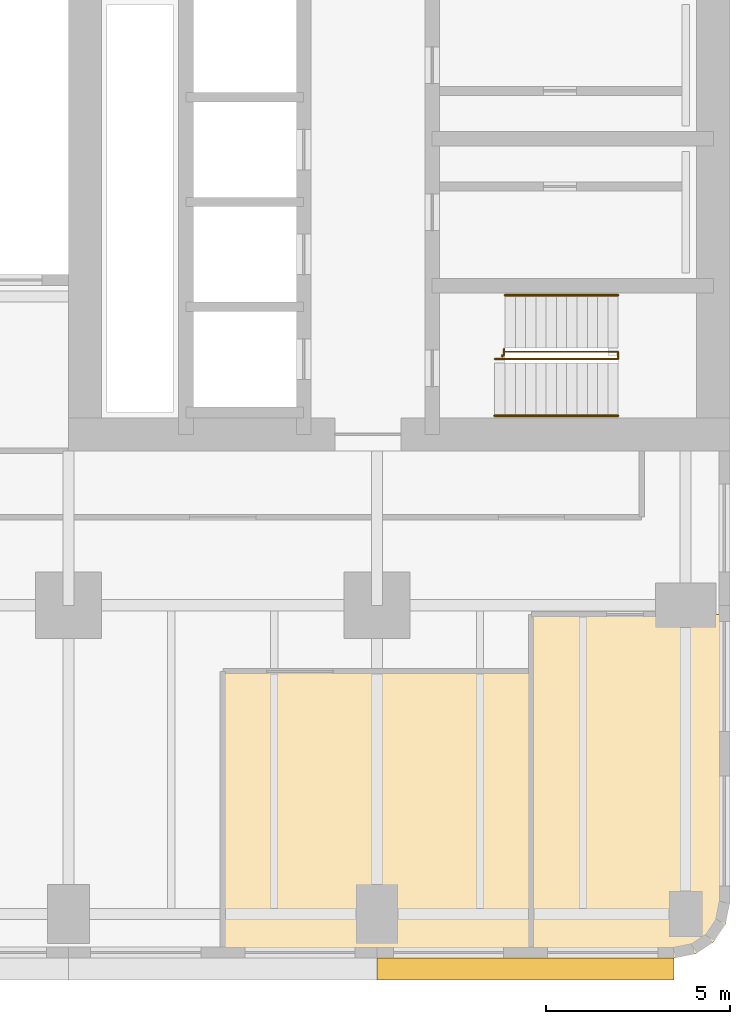
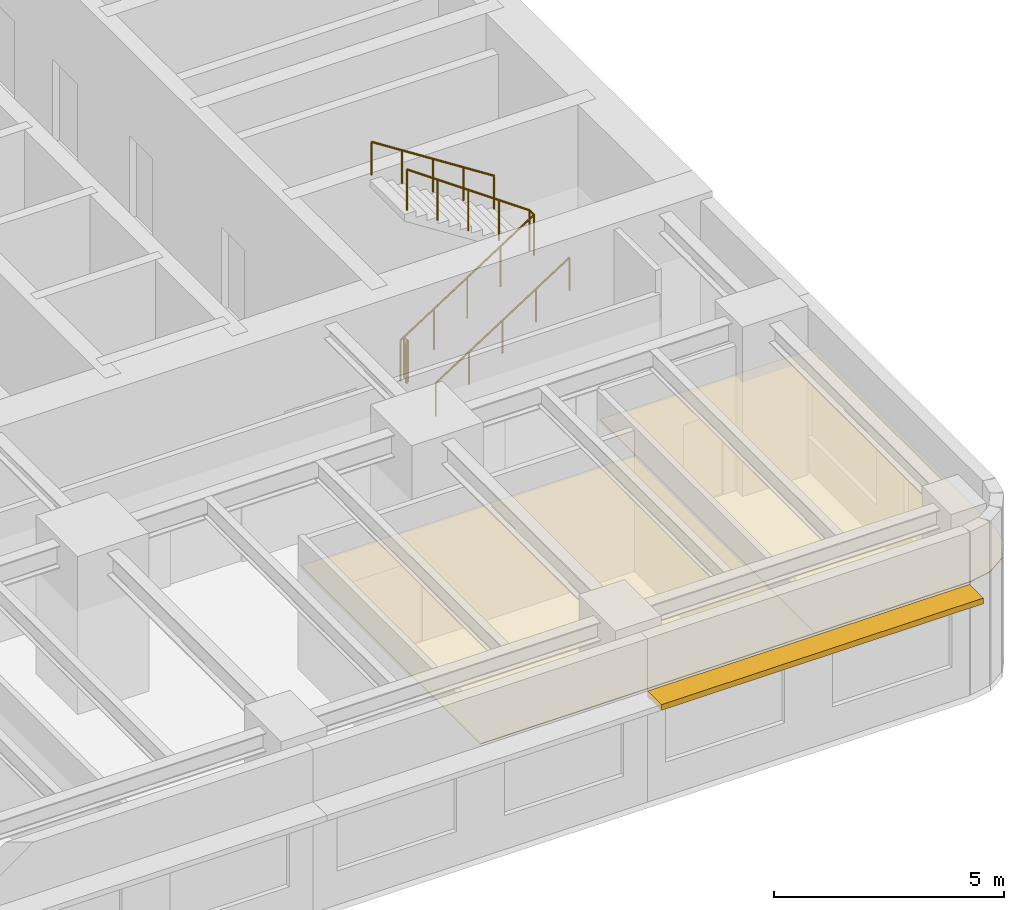
# One storey, part 11 of 14: 4 railings, 2 coverings, 1 shading device.
"""IFC4 building model written with IfcOpenShell, lengths in metres."""

from ifc_helpers import new_model, si_unit, direction, frame, origin, origin_2d, place, context, subcontext, project, spatial, polyline, rectangle, circle, outline, extrude, material, layer, layer_set, type_object, element, save


model = new_model("IFC4")

# Units and contexts
model_context = context("Model", 3, precision=1e-05, world=origin(), true_north=direction((0.0, 1.0)))
body_context = subcontext(model_context, "Body", "Model", "MODEL_VIEW")
ifc_project = project(units=[si_unit("LENGTHUNIT", "METRE"), si_unit("AREAUNIT", "SQUARE_METRE"), si_unit("VOLUMEUNIT", "CUBIC_METRE"), si_unit("PLANEANGLEUNIT", "RADIAN"), si_unit("MASSUNIT", "GRAM", prefix="KILO")], contexts=[model_context])

# Site, building, storey
site_placement = place(None, origin())
site = spatial("IfcSite", under=ifc_project, at=site_placement, CompositionType="ELEMENT")
building_placement = place(site_placement, origin())
building = spatial("IfcBuilding", under=site, at=building_placement, Name="Claustro Exchange Tower", CompositionType="ELEMENT")
storey_placement = place(building_placement, frame((0.0, 0.0, 72.89990234375)))
storey = spatial("IfcBuildingStorey", under=building, at=storey_placement, Name="L16", CompositionType="ELEMENT", Elevation=72.89990234375)

# Coverings
ifc_material_1 = material(Name="Gypsum board ceiling", Category="gypsum board")
ifc_layer_1 = layer(ifc_material_1, 0.02490234375)
ifc_layer_set_1 = layer_set([ifc_layer_1], Name="Gypsum board ceiling")
covering_type = type_object("IfcCoveringType", Name="CL2 plasterboard ceiling", PredefinedType="CEILING", material=ifc_layer_set_1)
covering_1_placement = place(storey_placement, frame((0.0, 0.0, 3.0)))
element("IfcCovering", 1, at=covering_1_placement, inside=storey, type_object=covering_type, Name="Ceiling CL2 L16-04", PredefinedType="CEILING", context=body_context, shape_type="SweptSolid", body=[
    extrude(outline(polyline([(37.800048828125, -1.199951171875), (46.199951171875, -1.199951171875), (46.199951171875, 6.60009765625), (37.800048828125, 6.60009765625), (37.800048828125, -1.199951171875)])), origin(), (0.0, 0.0, 1.0), 0.025146484375),
])
covering_2_placement = place(storey_placement, frame((0.0, 0.0, 3.0)))
element("IfcCovering", 2, at=covering_2_placement, inside=storey, type_object=covering_type, Name="Ceiling CL2 L16-06", PredefinedType="CEILING", context=body_context, shape_type="SweptSolid", body=[
    extrude(outline(polyline([(51.60009765625, 0.300048828125), (51.60009765625, 8.14990234375), (46.199951171875, 8.14990234375), (46.199951171875, -1.199951171875), (50.10009765625, -1.199951171875), (50.674072265625, -1.085693359375), (51.16064453125, -0.7607421875), (51.48583984375, -0.27392578125), (51.60009765625, 0.300048828125)])), origin(), (0.0, 0.0, 1.0), 0.025146484375),
])

# Railings
ifc_material_2 = material(Name="Steel balustrade, painted", Category="steel")
railing_type_1 = type_object("IfcRailingType", Name="GR2 1100 steel stair guard", PredefinedType="GUARDRAIL", material=ifc_material_2)
railing_1_placement = place(storey_placement, frame((45.199951171875, 15.10009765625, 0.18017578125)))
element("IfcRailing", 3, at=railing_1_placement, inside=storey, type_object=railing_type_1, Name="Stair well guard GR2 stair STEA L16", PredefinedType="GUARDRAIL", context=body_context, shape_type="SweptSolid", body=[
    extrude(circle(Radius=0.02392578125, at=origin_2d()), frame((0.0, 0.0, 1.076171875), z_axis=(0.84119634759, 0.0, 0.540729789082), x_axis=(0.0, 1.0, 0.0)), (0.0, 0.0, 1.0), 3.994384765625),
    extrude(circle(Radius=0.02392578125, at=origin_2d()), frame((3.360107421875, 0.0, 3.23583984375), z_axis=(0.0, 1.0, 0.0), x_axis=(-1.0, 0.0, 0.0)), (0.0, 0.0, 1.0), 0.199951171875),
    extrude(circle(Radius=0.02392578125, at=origin_2d()), frame((3.360107421875, 0.199951171875, 3.23583984375), z_axis=(-0.8187499073, 0.0, 0.574150319426), x_axis=(0.0, -1.0, 0.0)), (0.0, 0.0, 1.0), 3.761962890625),
    extrude(circle(Radius=0.02099609375, at=origin_2d()), origin(), (0.0, 0.0, 1.0), 1.052001953125),
    extrude(circle(Radius=0.02099609375, at=origin_2d()), frame((0.840087890625, 0.0, 0.5400390625)), (0.0, 0.0, 1.0), 1.052001953125),
    extrude(circle(Radius=0.02099609375, at=origin_2d()), frame((1.68017578125, 0.0, 1.080078125)), (0.0, 0.0, 1.0), 1.052001953125),
    extrude(circle(Radius=0.02099609375, at=origin_2d()), frame((2.52001953125, 0.0, 1.619873046875)), (0.0, 0.0, 1.0), 1.052001953125),
    extrude(circle(Radius=0.02099609375, at=origin_2d()), frame((3.360107421875, 0.0, 2.159912109375)), (0.0, 0.0, 1.0), 1.052001953125),
    extrude(circle(Radius=0.02099609375, at=origin_2d()), frame((3.360107421875, 0.199951171875, 2.159912109375)), (0.0, 0.0, 1.0), 1.052001953125),
    extrude(circle(Radius=0.02099609375, at=origin_2d()), frame((2.590087890625, 0.199951171875, 2.699951171875)), (0.0, 0.0, 1.0), 1.052001953125),
    extrude(circle(Radius=0.02099609375, at=origin_2d()), frame((1.820068359375, 0.199951171875, 3.23974609375)), (0.0, 0.0, 1.0), 1.052001953125),
    extrude(circle(Radius=0.02099609375, at=origin_2d()), frame((1.050048828125, 0.199951171875, 3.77978515625)), (0.0, 0.0, 1.0), 1.052001953125),
    extrude(circle(Radius=0.02099609375, at=origin_2d()), frame((0.280029296875, 0.199951171875, 4.31982421875)), (0.0, 0.0, 1.0), 1.052001953125),
])
railing_2_placement = place(storey_placement, frame((45.39990234375, 15.169921875, 0.0)))
element("IfcRailing", 4, at=railing_2_placement, inside=storey, type_object=railing_type_1, Name="Stair guard GR2 STEA L16", PredefinedType="GUARDRAIL", context=body_context, shape_type="SweptSolid", body=[
    extrude(circle(Radius=0.02392578125, at=origin_2d()), frame((0.0, 0.0, 1.076171875), z_axis=(0.0, 1.0, 0.0), x_axis=(-1.0, 0.0, 0.0)), (0.0, 0.0, 1.0), 0.030029296875),
    extrude(circle(Radius=0.02392578125, at=origin_2d()), frame((0.0, 0.030029296875, 1.076171875), z_axis=(1.0, 0.0, 0.0), x_axis=(0.0, 1.0, 0.0)), (0.0, 0.0, 1.0), 0.05517578125),
    extrude(circle(Radius=0.02392578125, at=origin_2d()), frame((0.05517578125, 0.030029296875, 1.076171875), z_axis=(0.0, 1.0, 0.0), x_axis=(-1.0, 0.0, 0.0)), (0.0, 0.0, 1.0), 0.179931640625),
    extrude(circle(Radius=0.02099609375, at=origin_2d()), origin(), (0.0, 0.0, 1.0), 1.052001953125),
    extrude(circle(Radius=0.02099609375, at=origin_2d()), frame((0.0, 0.030029296875, 0.0)), (0.0, 0.0, 1.0), 1.052001953125),
    extrude(circle(Radius=0.02099609375, at=origin_2d()), frame((0.05517578125, 0.030029296875, 0.0)), (0.0, 0.0, 1.0), 1.052001953125),
    extrude(circle(Radius=0.02099609375, at=origin_2d()), frame((0.05517578125, 0.2099609375, 0.0)), (0.0, 0.0, 1.0), 1.052001953125),
])
ifc_material_3 = material(Name="Stainless steel tube", Category="steel")
railing_type_2 = type_object("IfcRailingType", Name="HR1 900 stair handrail", PredefinedType="HANDRAIL", material=ifc_material_3)
railing_3_placement = place(storey_placement, frame((45.199951171875, 13.56005859375, 0.18017578125)))
element("IfcRailing", 5, at=railing_3_placement, inside=storey, type_object=railing_type_2, Name="Handrail HR1 stair STEA L16", PredefinedType="HANDRAIL", context=body_context, shape_type="SweptSolid", body=[
    extrude(circle(Radius=0.02392578125, at=origin_2d()), frame((0.0, 0.0, 0.8759765625), z_axis=(0.84119634759, 0.0, 0.540729789082), x_axis=(0.0, 1.0, 0.0)), (0.0, 0.0, 1.0), 3.994384765625),
    extrude(circle(Radius=0.02099609375, at=origin_2d()), origin(), (0.0, 0.0, 1.0), 0.851806640625),
    extrude(circle(Radius=0.02099609375, at=origin_2d()), frame((0.840087890625, 0.0, 0.5400390625)), (0.0, 0.0, 1.0), 0.851806640625),
    extrude(circle(Radius=0.02099609375, at=origin_2d()), frame((1.68017578125, 0.0, 1.080078125)), (0.0, 0.0, 1.0), 0.851806640625),
    extrude(circle(Radius=0.02099609375, at=origin_2d()), frame((2.52001953125, 0.0, 1.619873046875)), (0.0, 0.0, 1.0), 0.851806640625),
    extrude(circle(Radius=0.02099609375, at=origin_2d()), frame((3.360107421875, 0.0, 2.159912109375)), (0.0, 0.0, 1.0), 0.851806640625),
])
railing_4_placement = place(storey_placement, frame((48.56005859375, 16.840087890625, 2.52001953125)))
element("IfcRailing", 6, at=railing_4_placement, inside=storey, type_object=railing_type_2, Name="Handrail HR1 stair STEA L16", PredefinedType="HANDRAIL", context=body_context, shape_type="SweptSolid", body=[
    extrude(circle(Radius=0.02392578125, at=origin_2d()), frame((0.0, 0.0, 0.8759765625), z_axis=(-0.84118714077, 0.0, 0.540744111576), x_axis=(0.0, -1.0, 0.0)), (0.0, 0.0, 1.0), 3.66162109375),
    extrude(circle(Radius=0.02099609375, at=origin_2d()), origin(), (0.0, 0.0, 1.0), 0.851806640625),
    extrude(circle(Radius=0.02099609375, at=origin_2d()), frame((-0.77001953125, 0.0, 0.4951171875)), (0.0, 0.0, 1.0), 0.851806640625),
    extrude(circle(Radius=0.02099609375, at=origin_2d()), frame((-1.5400390625, 0.0, 0.989990234375)), (0.0, 0.0, 1.0), 0.851806640625),
    extrude(circle(Radius=0.02099609375, at=origin_2d()), frame((-2.31005859375, 0.0, 1.48486328125)), (0.0, 0.0, 1.0), 0.851806640625),
    extrude(circle(Radius=0.02099609375, at=origin_2d()), frame((-3.080078125, 0.0, 1.97998046875)), (0.0, 0.0, 1.0), 0.851806640625),
])

# Shading device
ifc_material_4 = material(Name="Concrete HA-40 (C40/50), precast, white cement, acid-etched", Category="concrete")
ifc_layer_2 = layer(ifc_material_4, 0.14990234375)
ifc_layer_set_2 = layer_set([ifc_layer_2], Name="Concrete HA-40 (C40/50), precast, white cement, acid-etched")
shading_device_type = type_object("IfcShadingDeviceType", Name="SS1 600 precast concrete SUNSHADE", PredefinedType="SHUTTER", material=ifc_layer_set_2)
shading_device_placement = place(storey_placement, frame((46.04248046875, -1.5, 2.800048828125), z_axis=(0.0, 0.0, 1.0), x_axis=(-1.0, 0.0, 0.0)))
element("IfcShadingDevice", 7, at=shading_device_placement, inside=storey, type_object=shading_device_type, Name="Precast SUNSHADE SS1 L16", PredefinedType="SHUTTER", context=body_context, shape_type="SweptSolid", body=[
    extrude(rectangle(XDim=8.085205078125, YDim=0.60009765625, at=origin_2d()), origin(), (0.0, 0.0, 1.0), 0.14990234375),
])

save(model, "model.ifc")
